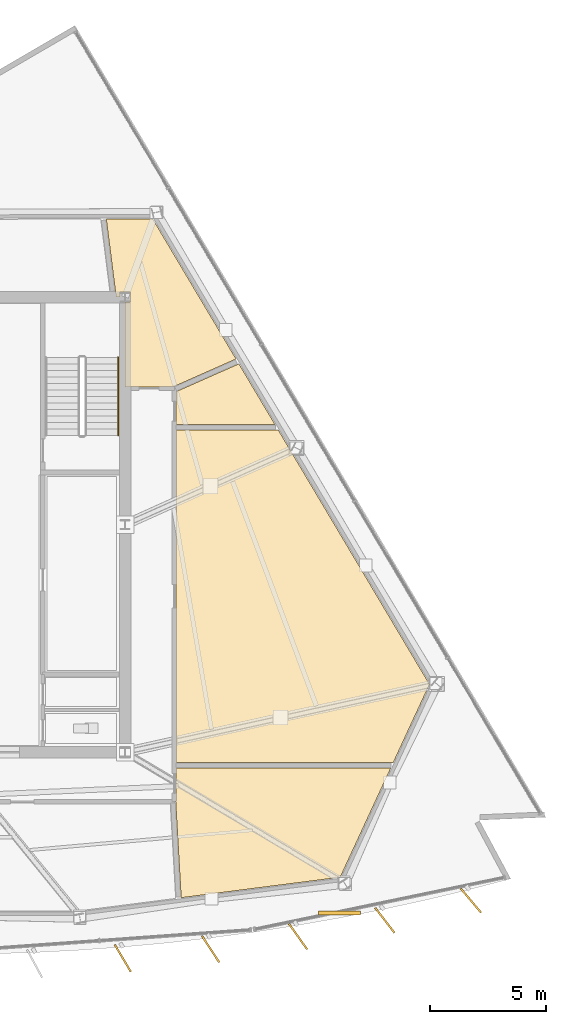
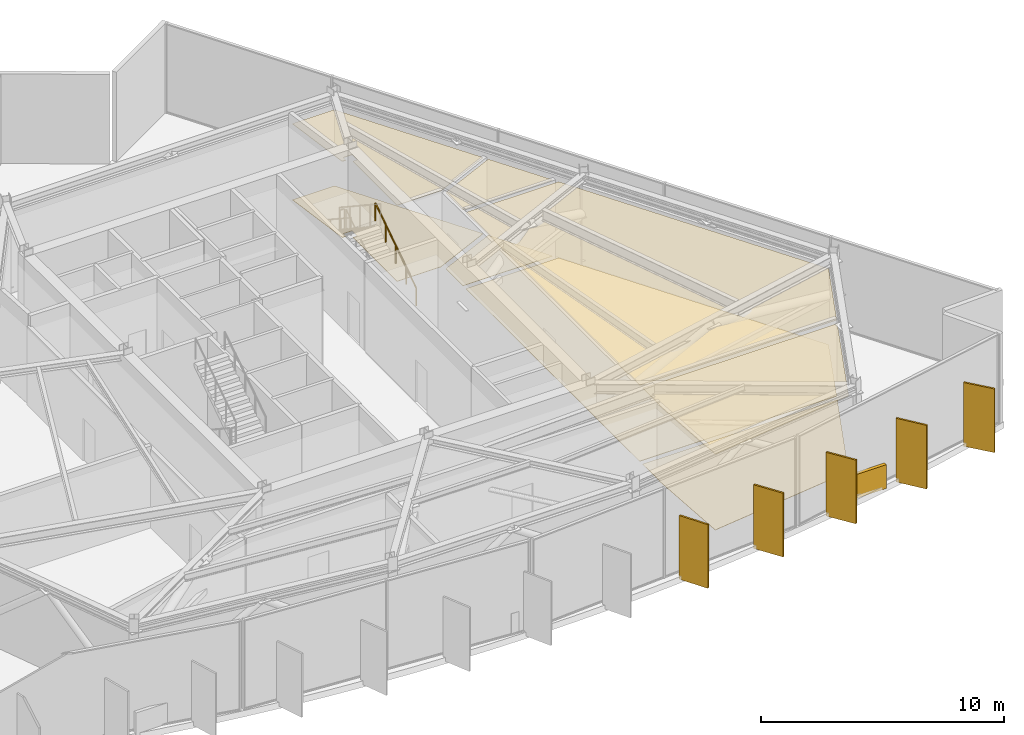
# One storey, part 13 of 14: 8 coverings, 6 shading devices, 1 railing.
"""IFC4 building model written with IfcOpenShell, lengths in metres."""

from ifc_helpers import new_model, si_unit, direction, frame, origin, origin_2d, place, context, subcontext, project, spatial, polyline, rectangle, circle, outline, extrude, material, layer, layer_set, type_object, element, save


model = new_model("IFC4")

# Units and contexts
model_context = context("Model", 3, precision=1e-05, world=origin(), true_north=direction((0.0, 1.0)))
body_context = subcontext(model_context, "Body", "Model", "MODEL_VIEW")
ifc_project = project(units=[si_unit("LENGTHUNIT", "METRE"), si_unit("AREAUNIT", "SQUARE_METRE"), si_unit("VOLUMEUNIT", "CUBIC_METRE"), si_unit("PLANEANGLEUNIT", "RADIAN"), si_unit("MASSUNIT", "GRAM", prefix="KILO")], contexts=[model_context])

# Site, building, storey
site_placement = place(None, origin())
site = spatial("IfcSite", under=ifc_project, at=site_placement, CompositionType="ELEMENT")
building_placement = place(site_placement, origin())
building = spatial("IfcBuilding", under=site, at=building_placement, Name="Savorim Split Tower", CompositionType="ELEMENT")
storey_placement = place(building_placement, frame((0.0, 0.0, 185.39990234375)))
storey = spatial("IfcBuildingStorey", under=building, at=storey_placement, Name="L49", CompositionType="ELEMENT", Elevation=185.39990234375)

# Coverings
ifc_material_1 = material(Name="Mineral Fibre Acoustic Ceiling")
ifc_layer_1 = layer(ifc_material_1, 0.02490234375)
ifc_layer_set_1 = layer_set([ifc_layer_1], Name="COV-CEIL-25")
covering_type_1 = type_object("IfcCoveringType", Name="COV-CEIL-25", PredefinedType="CEILING", material=ifc_layer_set_1)
covering_1_placement = place(storey_placement, frame((0.0, 0.0, 3.820068359375)))
element("IfcCovering", 1, at=covering_1_placement, inside=storey, type_object=covering_type_1, Name="L49 Refuge Area North Acoustic Ceiling", PredefinedType="CEILING", context=body_context, shape_type="SweptSolid", body=[
    extrude(outline(polyline([(10.114013671875, -15.62060546875), (10.1162109375, -15.662109375), (16.964111328125, -14.782958984375), (19.143310546875, -10.072998046875), (9.889892578125, -10.072998046875), (9.889892578125, -11.449951171875), (9.889404296875, -11.463623046875), (9.88720703125, -11.477294921875), (9.884033203125, -11.490478515625), (9.87939453125, -11.503662109375), (9.879150390625, -11.504150390625), (10.114013671875, -15.62060546875)])), origin(), (0.0, 0.0, 1.0), 0.025146484375),
])
covering_2_placement = place(storey_placement, frame((0.0, 0.0, 3.820068359375)))
element("IfcCovering", 2, at=covering_2_placement, inside=storey, type_object=covering_type_1, Name="L49 Refuge Area North-East Acoustic Ceiling", PredefinedType="CEILING", context=body_context, shape_type="SweptSolid", body=[
    extrude(outline(polyline([(14.876708984375, 3.493408203125), (14.876708984375, 3.50048828125), (14.844970703125, 3.5537109375), (14.288818359375, 4.489013671875), (14.288818359375, 4.472900390625), (9.889892578125, 4.472900390625), (9.889892578125, -9.8330078125), (19.143798828125, -9.8330078125), (19.25439453125, -9.8330078125), (20.80810546875, -6.474853515625), (14.880859375, 3.493408203125), (14.876708984375, 3.493408203125)])), origin(), (0.0, 0.0, 1.0), 0.025146484375),
])
covering_3_placement = place(storey_placement, frame((0.0, 0.0, 3.820068359375)))
element("IfcCovering", 3, at=covering_3_placement, inside=storey, type_object=covering_type_1, Name="L49 Refuge Area South-West Acoustic Ceiling", PredefinedType="CEILING", context=body_context, shape_type="SweptSolid", body=[
    extrude(outline(polyline([(9.889892578125, 6.127197265625), (9.889892578125, 4.712890625), (14.15576171875, 4.712890625), (12.60107421875, 7.327392578125), (9.927734375, 6.143798828125), (9.889892578125, 6.127197265625)])), origin(), (0.0, 0.0, 1.0), 0.025146484375),
])
covering_4_placement = place(storey_placement, frame((0.0, 0.0, 3.820068359375)))
element("IfcCovering", 4, at=covering_4_placement, inside=storey, type_object=covering_type_1, Name="L49 Refuge Area Central Acoustic Ceiling", PredefinedType="CEILING", context=body_context, shape_type="SweptSolid", body=[
    extrude(outline(polyline([(12.444580078125, 7.520751953125), (12.4775390625, 7.535400390625), (8.887939453125, 13.571533203125), (6.890869140625, 13.5654296875), (7.315673828125, 10.214599609375), (7.317626953125, 10.199951171875), (7.488037109375, 10.199951171875), (7.488037109375, 10.41357421875), (7.912109375, 10.41357421875), (7.912109375, 9.986572265625), (7.699951171875, 9.986572265625), (7.699951171875, 6.340087890625), (9.75, 6.340087890625), (9.763671875, 6.33935546875), (9.773193359375, 6.337890625), (12.444580078125, 7.520751953125)])), origin(), (0.0, 0.0, 1.0), 0.025146484375),
])
ifc_material_2 = material(Name="Porcelain Stoneware Flooring", Category="masonry")
ifc_layer_2 = layer(ifc_material_2, 0.02001953125)
ifc_layer_set_2 = layer_set([ifc_layer_2], Name="COV-FLOR-20")
covering_type_2 = type_object("IfcCoveringType", Name="COV-FLOR-20", PredefinedType="FLOORING", material=ifc_layer_set_2)
covering_5_placement = place(storey_placement, origin())
element("IfcCovering", 5, at=covering_5_placement, inside=storey, type_object=covering_type_2, Name="L49 Refuge Area North Porcelain Flooring", PredefinedType="FLOORING", context=body_context, shape_type="SweptSolid", body=[
    extrude(outline(polyline([(10.114013671875, -15.62060546875), (10.1162109375, -15.662109375), (16.964111328125, -14.782958984375), (19.143310546875, -10.072998046875), (9.889892578125, -10.072998046875), (9.889892578125, -11.449951171875), (9.889404296875, -11.463623046875), (9.88720703125, -11.477294921875), (9.884033203125, -11.490478515625), (9.87939453125, -11.503662109375), (9.879150390625, -11.504150390625), (10.114013671875, -15.62060546875)])), origin(), (0.0, 0.0, 1.0), 0.02001953125),
])
covering_6_placement = place(storey_placement, origin())
element("IfcCovering", 6, at=covering_6_placement, inside=storey, type_object=covering_type_2, Name="L49 Refuge Area North-East Porcelain Flooring", PredefinedType="FLOORING", context=body_context, shape_type="SweptSolid", body=[
    extrude(outline(polyline([(14.876708984375, 3.493408203125), (14.876708984375, 3.50048828125), (14.844970703125, 3.5537109375), (14.288818359375, 4.489013671875), (14.288818359375, 4.472900390625), (9.889892578125, 4.472900390625), (9.889892578125, -9.8330078125), (19.143798828125, -9.8330078125), (19.25439453125, -9.8330078125), (20.80810546875, -6.474853515625), (14.880859375, 3.493408203125), (14.876708984375, 3.493408203125)])), origin(), (0.0, 0.0, 1.0), 0.02001953125),
])
covering_7_placement = place(storey_placement, origin())
element("IfcCovering", 7, at=covering_7_placement, inside=storey, type_object=covering_type_2, Name="L49 Refuge Area South-West Porcelain Flooring", PredefinedType="FLOORING", context=body_context, shape_type="SweptSolid", body=[
    extrude(outline(polyline([(9.889892578125, 6.127197265625), (9.889892578125, 4.712890625), (14.15576171875, 4.712890625), (12.60107421875, 7.327392578125), (9.927734375, 6.143798828125), (9.889892578125, 6.127197265625)])), origin(), (0.0, 0.0, 1.0), 0.02001953125),
])
covering_8_placement = place(storey_placement, origin())
element("IfcCovering", 8, at=covering_8_placement, inside=storey, type_object=covering_type_2, Name="L49 Refuge Area Central Porcelain Flooring", PredefinedType="FLOORING", context=body_context, shape_type="SweptSolid", body=[
    extrude(outline(polyline([(12.444580078125, 7.520751953125), (12.4775390625, 7.535400390625), (8.887939453125, 13.571533203125), (6.890869140625, 13.5654296875), (7.315673828125, 10.214599609375), (7.317626953125, 10.199951171875), (7.488037109375, 10.199951171875), (7.488037109375, 10.41357421875), (7.912109375, 10.41357421875), (7.912109375, 9.986572265625), (7.699951171875, 9.986572265625), (7.699951171875, 6.340087890625), (9.75, 6.340087890625), (9.763671875, 6.33935546875), (9.773193359375, 6.337890625), (12.444580078125, 7.520751953125)])), origin(), (0.0, 0.0, 1.0), 0.02001953125),
])

# Railing
ifc_material_3 = material(Name="Galvanised Painted Steel Balustrade", Category="steel")
railing_type = type_object("IfcRailingType", Name="RLG-HR-900", PredefinedType="HANDRAIL", material=ifc_material_3)
railing_placement = place(storey_placement, frame((7.39990234375, 4.25, 0.184814453125)))
element("IfcRailing", 9, at=railing_placement, inside=storey, type_object=railing_type, Name="L49 ST-2 stair handrail 1", PredefinedType="HANDRAIL", context=body_context, shape_type="SweptSolid", body=[
    extrude(circle(Radius=0.02392578125, at=origin_2d()), frame((0.0, 0.0, 0.8759765625), z_axis=(0.0, 0.834876476806, 0.550437342915), x_axis=(-1.0, 0.0, 0.0)), (0.0, 0.0, 1.0), 4.024658203125),
    extrude(circle(Radius=0.02099609375, at=origin_2d()), origin(), (0.0, 0.0, 1.0), 0.851806640625),
    extrude(circle(Radius=0.02099609375, at=origin_2d()), frame((0.0, 0.840087890625, 0.5537109375)), (0.0, 0.0, 1.0), 0.851806640625),
    extrude(circle(Radius=0.02099609375, at=origin_2d()), frame((0.0, 1.68017578125, 1.107666015625)), (0.0, 0.0, 1.0), 0.851806640625),
    extrude(circle(Radius=0.02099609375, at=origin_2d()), frame((0.0, 2.52001953125, 1.66162109375)), (0.0, 0.0, 1.0), 0.851806640625),
    extrude(circle(Radius=0.02099609375, at=origin_2d()), frame((0.0, 3.360107421875, 2.21533203125)), (0.0, 0.0, 1.0), 0.851806640625),
])

# Shading devices
ifc_material_4 = material(Name="Terracotta Ceramic-Coated Aluminium Fin", Category="masonry")
shading_device_type_1 = type_object("IfcShadingDeviceType", Name="SHD-FIN-1360", PredefinedType="USERDEFINED", material=ifc_material_4)
for number, where, z_axis, x_axis, name in (
    (10, (7.599609375, -18.26708984375, -0.19970703125), (0.0, 0.0, 1.0), (0.510391336723, -0.859942255851, 0.0), "L49 Sawtooth Shading Fin 09"),
    (11, (11.38330078125, -17.878662109375, -0.19970703125), (0.0, 0.0, 1.0), (0.545148321708, -0.838339613366, 0.0), "L49 Sawtooth Shading Fin 10"),
    (12, (15.148193359375, -17.335693359375, -0.19970703125), (0.0, 0.0, 1.0), (0.578993757737, -0.815331974414, 0.0), "L49 Sawtooth Shading Fin 11"),
    (13, (18.8876953125, -16.63916015625, -0.19970703125), (0.0, 0.0, 1.0), (0.611868076908, -0.790959832394, 0.0), "L49 Sawtooth Shading Fin 12"),
    (14, (22.595458984375, -15.7900390625, -0.19970703125), (0.0, 0.0, 1.0), (0.643719022682, -0.765261928909, 0.0), "L49 Sawtooth Shading Fin 13"),
):
    element("IfcShadingDevice", number, at=place(storey_placement, frame(where, z_axis=z_axis, x_axis=x_axis)), inside=storey, type_object=shading_device_type_1, Name=name, ObjectType="FIN", PredefinedType="USERDEFINED", context=body_context, shape_type="SweptSolid", body=[
        extrude(rectangle(XDim=1.360107421875, YDim=0.080078125, at=origin_2d()), origin(), (0.0, 0.0, 1.0), 3.199951171875),
    ])
ifc_material_5 = material(Name="Charcoal Anodised Aluminium", Category="aluminium")
shading_device_type_2 = type_object("IfcShadingDeviceType", Name="SHD-LVR-1800", PredefinedType="USERDEFINED", material=ifc_material_5)
shading_device_placement = place(storey_placement, frame((16.934326171875, -16.318603515625, -0.14990234375), z_axis=(0.0, 0.0, 1.0), x_axis=(1.0, 0.0, 0.0)))
element("IfcShadingDevice", 15, at=shading_device_placement, inside=storey, type_object=shading_device_type_2, Name="L49 Plant Acoustic Louvre 3", ObjectType="LOUVRE", PredefinedType="USERDEFINED", context=body_context, shape_type="SweptSolid", body=[
    extrude(rectangle(XDim=1.800048828125, YDim=0.159912109375, at=origin_2d()), origin(), (0.0, 0.0, 1.0), 1.199951171875),
])

save(model, "model.ifc")
